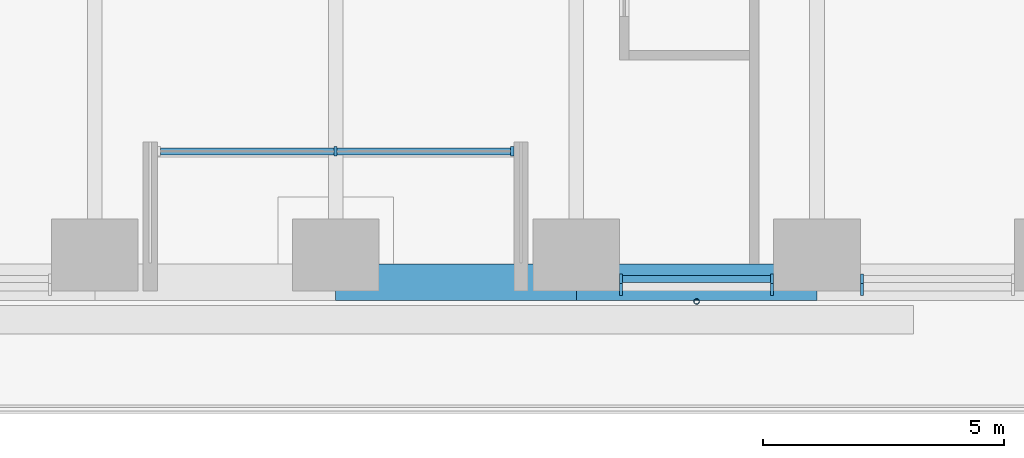
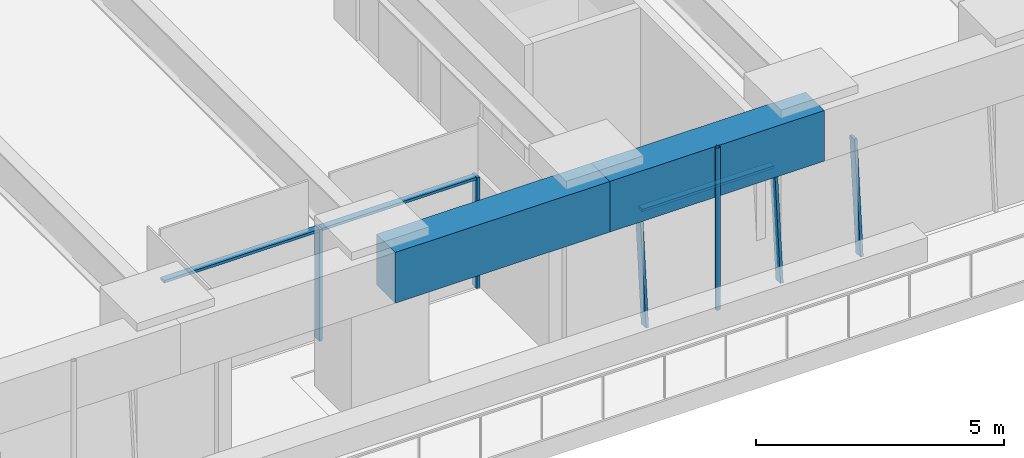
# One storey, part 4 of 24: 8 members, 2 beams, 3 elements without a shape of their own.
"""IFC4 building model written with IfcOpenShell, lengths in metres."""

from ifc_helpers import new_model, si_unit, direction, frame, origin, origin_2d, place, context, subcontext, project, spatial, rectangle, hollow_circle, extrude, material, material_profile, profile_set, type_object, element, aggregate, save


model = new_model("IFC4")

# Units and contexts
model_context = context("Model", 3, precision=1e-05, world=origin(), true_north=direction((0.0, 1.0)))
body_context = subcontext(model_context, "Body", "Model", "MODEL_VIEW")
ifc_project = project(units=[si_unit("LENGTHUNIT", "METRE"), si_unit("AREAUNIT", "SQUARE_METRE"), si_unit("VOLUMEUNIT", "CUBIC_METRE"), si_unit("PLANEANGLEUNIT", "RADIAN"), si_unit("MASSUNIT", "GRAM", prefix="KILO")], contexts=[model_context])

# Site, building, storey
site_placement = place(None, origin())
site = spatial("IfcSite", under=ifc_project, at=site_placement, CompositionType="ELEMENT")
building_placement = place(site_placement, origin())
building = spatial("IfcBuilding", under=site, at=building_placement, Name="Tarfa Lantern Tower", CompositionType="ELEMENT")
storey_placement = place(building_placement, frame((0.0, 0.0, 136.300048828125)))
storey = spatial("IfcBuildingStorey", under=building, at=storey_placement, Name="L30", CompositionType="ELEMENT", Elevation=136.300048828125)

# Curtain wall, members
ifc_material_1 = material(Name="Aluminium framed curtain wall", Category="aluminium")
curtain_wall_type_1 = type_object("IfcCurtainWallType", Name="CW2 CANTED GLAZING MID ZONE 2750", PredefinedType="USERDEFINED", material=ifc_material_1)
curtain_wall_1_placement = place(storey_placement, origin())
curtain_wall_1 = element("IfcCurtainWall", 1, at=curtain_wall_1_placement, inside=storey, type_object=curtain_wall_type_1, Name="CW2 SB L30", ObjectType="CURTAIN WALL", PredefinedType="USERDEFINED")
ifc_material_2 = material(Name="Aluminium mullion", Category="aluminium")
ifc_material_profile_1 = material_profile(ifc_material_2, rectangle(XDim=0.06494140625, YDim=0.199951171875, at=origin_2d()), Name="AL MULLION 65x200")
ifc_profile_set_1 = profile_set([ifc_material_profile_1], Name="Aluminium mullion")
member_type_1 = type_object("IfcMemberType", Name="CWM1 MULLION 65x200", PredefinedType="MULLION", material=ifc_profile_set_1)
member_1_placement = place(storey_placement, frame((5.936279296875, -31.39990234375, 0.0), z_axis=(0.0, 0.090535746043, 0.995893206468), x_axis=(-1.0, 0.0, 0.0)))
member_1 = element("IfcMember", 2, at=member_1_placement, type_object=member_type_1, Name="CW2 mullion 1", PredefinedType="MULLION", context=body_context, shape_type="SweptSolid", body=[
    extrude(rectangle(XDim=0.06494140625, YDim=0.199951171875, at=origin_2d()), origin(), (0.0, 0.0, 1.0), 2.76123046875),
])
member_2_placement = place(storey_placement, frame((9.074951171875, -31.39990234375, 0.0), z_axis=(0.0, 0.090535746043, 0.995893206468), x_axis=(-1.0, 0.0, 0.0)))
member_2 = element("IfcMember", 3, at=member_2_placement, type_object=member_type_1, Name="CW2 mullion 2", PredefinedType="MULLION", context=body_context, shape_type="SweptSolid", body=[
    extrude(rectangle(XDim=0.06494140625, YDim=0.199951171875, at=origin_2d()), origin(), (0.0, 0.0, 1.0), 2.76123046875),
])

# Curtain wall, member
curtain_wall_2_placement = place(storey_placement, origin())
curtain_wall_2 = element("IfcCurtainWall", 4, at=curtain_wall_2_placement, inside=storey, type_object=curtain_wall_type_1, Name="CW2 SB L30", ObjectType="CURTAIN WALL", PredefinedType="USERDEFINED")
member_3_placement = place(storey_placement, frame((10.93994140625, -31.39990234375, 0.0), z_axis=(0.0, 0.090535746043, 0.995893206468), x_axis=(-1.0, 0.0, 0.0)))
member_3 = element("IfcMember", 5, at=member_3_placement, type_object=member_type_1, Name="CW2 mullion 1", PredefinedType="MULLION", context=body_context, shape_type="SweptSolid", body=[
    extrude(rectangle(XDim=0.06494140625, YDim=0.199951171875, at=origin_2d()), origin(), (0.0, 0.0, 1.0), 2.76123046875),
])
aggregate(curtain_wall_2, [member_3])

# Curtain wall, members
curtain_wall_type_2 = type_object("IfcCurtainWallType", Name="CW10 LOGGIA GLAZING 2750", PredefinedType="USERDEFINED", material=ifc_material_1)
curtain_wall_3_placement = place(storey_placement, origin())
curtain_wall_3 = element("IfcCurtainWall", 6, at=curtain_wall_3_placement, inside=storey, type_object=curtain_wall_type_2, Name="CW10 SL L30", ObjectType="CURTAIN WALL", PredefinedType="USERDEFINED")
member_4_placement = place(storey_placement, frame((0.0, -28.5, 0.0), z_axis=(0.0, 0.0, 1.0), x_axis=(1.0, 0.0, 0.0)))
member_4 = element("IfcMember", 7, at=member_4_placement, type_object=member_type_1, Name="CW10 mullion 2", PredefinedType="MULLION", context=body_context, shape_type="SweptSolid", body=[
    extrude(rectangle(XDim=0.06494140625, YDim=0.199951171875, at=origin_2d()), origin(), (0.0, 0.0, 1.0), 2.75),
])
member_5_placement = place(storey_placement, frame((3.671142578125, -28.5, 0.0), z_axis=(0.0, 0.0, 1.0), x_axis=(1.0, 0.0, 0.0)))
member_5 = element("IfcMember", 8, at=member_5_placement, type_object=member_type_1, Name="CW10 mullion 3", PredefinedType="MULLION", context=body_context, shape_type="SweptSolid", body=[
    extrude(rectangle(XDim=0.06494140625, YDim=0.199951171875, at=origin_2d()), origin(), (0.0, 0.0, 1.0), 2.75),
])

# Member
ifc_material_3 = material(Name="Aluminium transom", Category="aluminium")
ifc_material_profile_2 = material_profile(ifc_material_3, rectangle(XDim=0.14990234375, YDim=0.06494140625, at=origin_2d()), Name="AL TRANSOM 150x65")
ifc_profile_set_2 = profile_set([ifc_material_profile_2], Name="Aluminium transom")
member_type_2 = type_object("IfcMemberType", Name="CWT1 TRANSOM 150x65", PredefinedType="USERDEFINED", material=ifc_profile_set_2)
member_6_placement = place(storey_placement, frame((5.96875, -31.153076171875, 2.717529296875), z_axis=(1.0, 0.0, 0.0), x_axis=(0.0, 1.0, 0.0)))
member_6 = element("IfcMember", 9, at=member_6_placement, type_object=member_type_2, Name="CW2 transom 1.2", ObjectType="TRANSOM", PredefinedType="USERDEFINED", context=body_context, shape_type="SweptSolid", body=[
    extrude(rectangle(XDim=0.14990234375, YDim=0.06494140625, at=origin_2d()), origin(), (0.0, 0.0, 1.0), 3.07373046875),
])

aggregate(curtain_wall_1, [member_1, member_2, member_6])

member_7_placement = place(storey_placement, frame((-3.638671875, -28.5, 2.717529296875), z_axis=(1.0, 0.0, 0.0), x_axis=(0.0, 1.0, 0.0)))
member_7 = element("IfcMember", 10, at=member_7_placement, type_object=member_type_2, Name="CW10 transom 1.2", ObjectType="TRANSOM", PredefinedType="USERDEFINED", context=body_context, shape_type="SweptSolid", body=[
    extrude(rectangle(XDim=0.14990234375, YDim=0.06494140625, at=origin_2d()), origin(), (0.0, 0.0, 1.0), 7.27734375),
])

aggregate(curtain_wall_3, [member_4, member_5, member_7])

# Beams
ifc_material_4 = material(Name="Concrete C80/95", Category="concrete")
ifc_material_profile_3 = material_profile(ifc_material_4, rectangle(XDim=0.75, YDim=1.25, at=origin_2d()), Name="RC 750x1250")
ifc_profile_set_3 = profile_set([ifc_material_profile_3], Name="Concrete C80/95")
beam_type = type_object("IfcBeamType", Name="EB2 RC 750x1250", PredefinedType="SPANDREL", material=ifc_profile_set_3)
for number, where, z_axis, x_axis, name in (
    (11, (0.0, -31.219970703125, 3.375), (1.0, 0.0, 0.0), (0.0, 1.0, 0.0), "Edge beam S3"),
    (12, (5.003662109375, -31.219970703125, 3.375), (1.0, 0.0, 0.0), (0.0, 1.0, 0.0), "Edge beam S4"),
):
    element("IfcBeam", number, at=place(storey_placement, frame(where, z_axis=z_axis, x_axis=x_axis)), inside=storey, type_object=beam_type, Name=name, PredefinedType="SPANDREL", context=body_context, shape_type="SweptSolid", body=[
        extrude(rectangle(XDim=0.75, YDim=1.25, at=origin_2d()), origin(), (0.0, 0.0, 1.0), 5.003662109375),
    ])

# Member
ifc_material_5 = material(Name="Steel S355", Category="steel")
ifc_material_profile_4 = material_profile(ifc_material_5, hollow_circle(Radius=0.05712890625, WallThickness=0.00634765625, at=origin_2d()), Name="CHS114.3x6.3")
ifc_profile_set_4 = profile_set([ifc_material_profile_4], Name="Steel S355")
member_type_3 = type_object("IfcMemberType", Name="TR1 GREEN WALL TRELLIS CHS114.3x6.3", PredefinedType="USERDEFINED", material=ifc_profile_set_4)
member_8_placement = place(storey_placement, frame((7.505615234375, -31.6201171875, 0.0), z_axis=(0.0, 0.0, 1.0), x_axis=(1.0, 0.0, 0.0)))
element("IfcMember", 13, at=member_8_placement, inside=storey, type_object=member_type_3, Name="Trellis post S 2", ObjectType="TRELLIS", PredefinedType="USERDEFINED", context=body_context, shape_type="SweptSolid", body=[
    extrude(hollow_circle(Radius=0.05712890625, WallThickness=0.00634765625, at=origin_2d()), origin(), (0.0, 0.0, 1.0), 4.0),
])

save(model, "model.ifc")
